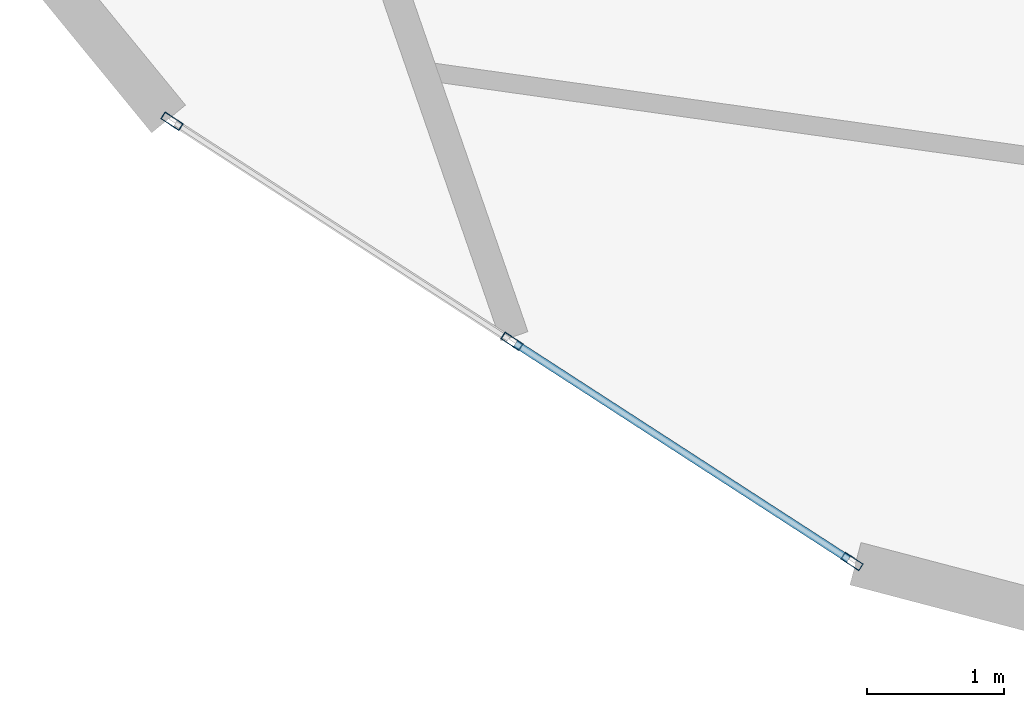
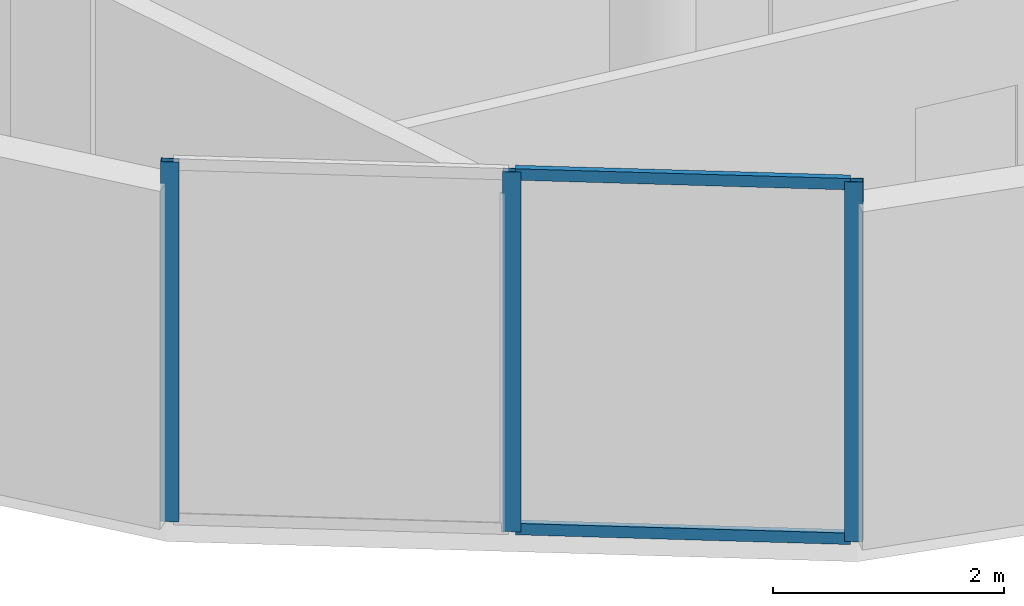
# One storey, part 2 of 22: 5 members, 1 element without a shape of its own.
"""IFC4 building model written with IfcOpenShell, lengths in metres."""

from ifc_helpers import new_model, si_unit, direction, frame, origin, origin_2d, place, context, subcontext, project, spatial, hollow_rectangle, extrude, source, transform, mapped, material, layer, layer_set, material_profile, profile_set, type_object, element, aggregate, save


model = new_model("IFC4")

# Units and contexts
model_context = context("Model", 3, precision=1e-05, world=origin(), true_north=direction((0.0, 1.0)))
body_context = subcontext(model_context, "Body", "Model", "MODEL_VIEW")
ifc_project = project(units=[si_unit("LENGTHUNIT", "METRE"), si_unit("AREAUNIT", "SQUARE_METRE"), si_unit("VOLUMEUNIT", "CUBIC_METRE"), si_unit("PLANEANGLEUNIT", "RADIAN"), si_unit("MASSUNIT", "GRAM", prefix="KILO")], contexts=[model_context])

# Site, building, storey
site_placement = place(None, origin())
site = spatial("IfcSite", under=ifc_project, at=site_placement, CompositionType="ELEMENT")
building_placement = place(site_placement, origin())
building = spatial("IfcBuilding", under=site, at=building_placement, Name="Solvirekh Grand Hotel", CompositionType="ELEMENT")
storey_placement = place(building_placement, frame((0.0, 0.0, 243.0)))
storey = spatial("IfcBuildingStorey", under=building, at=storey_placement, Name="L63", CompositionType="ELEMENT", Elevation=243.0)

# Curtain wall, members
ifc_material = material(Name="Anodized Bronze Aluminium 6063-T6", Category="aluminium")
ifc_layer = layer(ifc_material, 0.159912109375)
ifc_layer_set = layer_set([ifc_layer], Name="Anodized Bronze Aluminium 6063-T6")
curtain_wall_type = type_object("IfcCurtainWallType", Name="CW_Sys4_HighZoneFlushBronzeCW", PredefinedType="NOTDEFINED", material=ifc_layer_set)
curtain_wall_placement = place(storey_placement, origin())
curtain_wall = element("IfcCurtainWall", 1, at=curtain_wall_placement, inside=storey, type_object=curtain_wall_type, Name="L63 unitised bronze-glass curtain wall CW-L63-C18", PredefinedType="NOTDEFINED")
ifc_material_profile_1 = material_profile(ifc_material, hollow_rectangle(XDim=0.06005859375, YDim=0.159912109375, WallThickness=0.0048828125, at=origin_2d()), Name="ALU RHS 160X60X5")
ifc_profile_set_1 = profile_set([ifc_material_profile_1], Name="Anodized Bronze Aluminium 6063-T6")
member_type_1 = type_object("IfcMemberType", Name="CWMullion_Sys4", PredefinedType="MULLION", material=ifc_profile_set_1)
shared_shape_1 = source(origin(), body_context, "Body", "SweptSolid", [
    extrude(hollow_rectangle(XDim=0.06005859375, YDim=0.159912109375, WallThickness=0.0048828125, at=origin_2d()), origin(), (0.0, 0.0, 1.0), 3.800048828125),
])
member_1_placement = place(storey_placement, frame((-13.27587890625, -14.639404296875, 0.0), z_axis=(0.0, 0.0, 1.0), x_axis=(0.543507576279, 0.839404261681, 0.0)))
member_1 = element("IfcMember", 2, at=member_1_placement, type_object=member_type_1, Name="U04 mullion 1", PredefinedType="MULLION", context=body_context, shape_type="MappedRepresentation", body=[
    mapped(shared_shape_1, transform((0.0, 0.0, 0.0), x_axis=(1.0, 0.0, 0.0), y_axis=(0.0, 1.0, 0.0), z_axis=(0.0, 0.0, 1.0), scale=1.0)),
])
member_2_placement = place(storey_placement, frame((-10.7890625, -16.24951171875, 0.0), z_axis=(0.0, 0.0, 1.0), x_axis=(0.543507576279, 0.839404261681, 0.0)))
member_2 = element("IfcMember", 3, at=member_2_placement, type_object=member_type_1, Name="U04 mullion 2", PredefinedType="MULLION", context=body_context, shape_type="MappedRepresentation", body=[
    mapped(shared_shape_1, transform((0.0, 0.0, 0.0), x_axis=(1.0, 0.0, 0.0), y_axis=(0.0, 1.0, 0.0), z_axis=(0.0, 0.0, 1.0), scale=1.0)),
])
member_3_placement = place(storey_placement, frame((-8.30224609375, -17.859619140625, 0.0), z_axis=(0.0, 0.0, 1.0), x_axis=(0.543507576279, 0.839404261681, 0.0)))
member_3 = element("IfcMember", 4, at=member_3_placement, type_object=member_type_1, Name="U04 mullion 3", PredefinedType="MULLION", context=body_context, shape_type="MappedRepresentation", body=[
    mapped(shared_shape_1, transform((0.0, 0.0, 0.0), x_axis=(1.0, 0.0, 0.0), y_axis=(0.0, 1.0, 0.0), z_axis=(0.0, 0.0, 1.0), scale=1.0)),
])
ifc_material_profile_2 = material_profile(ifc_material, hollow_rectangle(XDim=0.054931640625, YDim=0.1201171875, WallThickness=0.00390625, at=origin_2d()), Name="ALU RHS 120X55X4")
ifc_profile_set_2 = profile_set([ifc_material_profile_2], Name="Anodized Bronze Aluminium 6063-T6")
member_type_2 = type_object("IfcMemberType", Name="CWTransom_Sys4", PredefinedType="USERDEFINED", material=ifc_profile_set_2)
shared_shape_2 = source(origin(), body_context, "Body", "SweptSolid", [
    extrude(hollow_rectangle(XDim=0.054931640625, YDim=0.1201171875, WallThickness=0.00390625, at=origin_2d()), origin(), (0.0, 0.0, 1.0), 2.902587890625),
])
member_4_placement = place(storey_placement, frame((-10.763916015625, -16.265869140625, 0.027587890625), z_axis=(0.839403131285, -0.543509322081, 0.0), x_axis=(0.543509322081, 0.839403131285, 0.0)))
member_4 = element("IfcMember", 5, at=member_4_placement, type_object=member_type_2, Name="U04 transom 2.1", ObjectType="TRANSOM", PredefinedType="USERDEFINED", context=body_context, shape_type="MappedRepresentation", body=[
    mapped(shared_shape_2, transform((0.0, 0.0, 0.0), x_axis=(1.0, 0.0, 0.0), y_axis=(0.0, 1.0, 0.0), z_axis=(0.0, 0.0, 1.0), scale=1.0)),
])
member_5_placement = place(storey_placement, frame((-10.763916015625, -16.265869140625, 3.7724609375), z_axis=(0.839403131285, -0.543509322081, 0.0), x_axis=(0.543509322081, 0.839403131285, 0.0)))
member_5 = element("IfcMember", 6, at=member_5_placement, type_object=member_type_2, Name="U04 transom 2.2", ObjectType="TRANSOM", PredefinedType="USERDEFINED", context=body_context, shape_type="MappedRepresentation", body=[
    mapped(shared_shape_2, transform((0.0, 0.0, 0.0), x_axis=(1.0, 0.0, 0.0), y_axis=(0.0, 1.0, 0.0), z_axis=(0.0, 0.0, 1.0), scale=1.0)),
])
aggregate(curtain_wall, [member_1, member_2, member_3, member_4, member_5])

save(model, "model.ifc")
